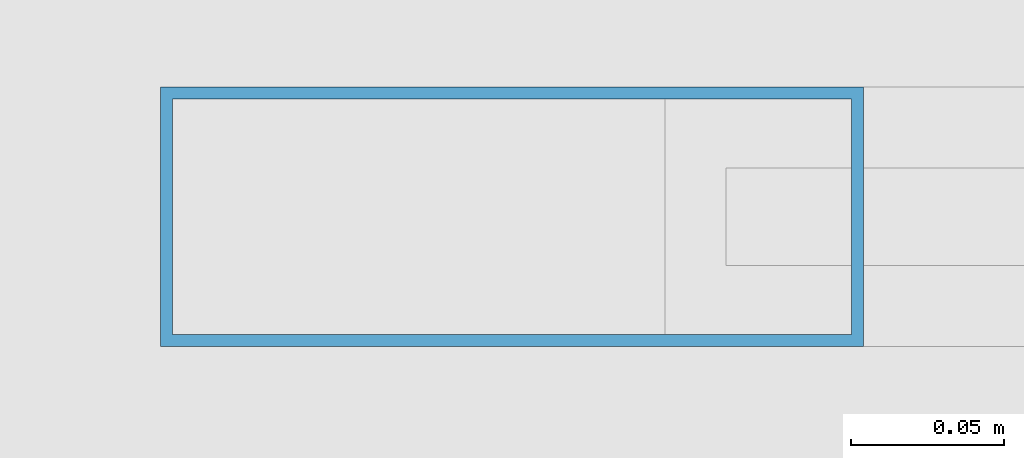
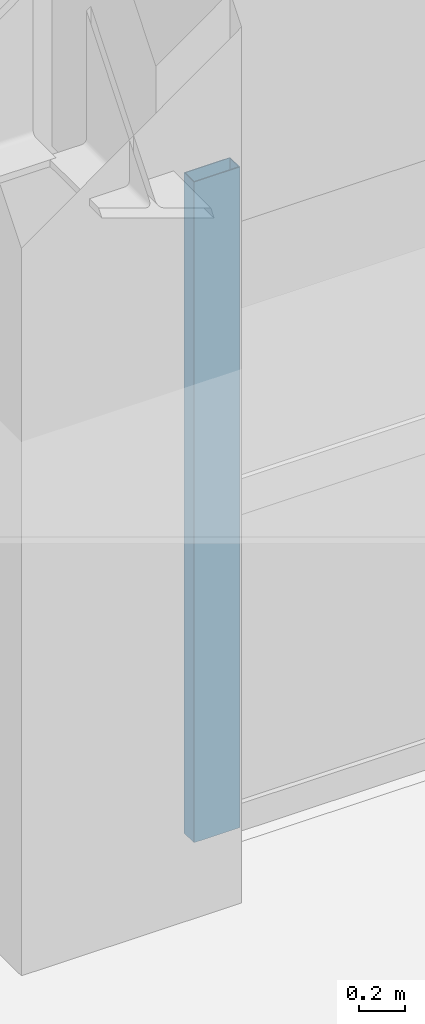
# One storey, part 18 of 43: 1 member, 1 element without a shape of its own.
"""IFC4 building model written with IfcOpenShell, lengths in metres."""

from ifc_helpers import new_model, si_unit, direction, frame, origin, origin_2d, place, context, subcontext, project, spatial, hollow_rectangle, extrude, material, material_profile, profile_set, type_object, element, aggregate, save


model = new_model("IFC4")

# Units and contexts
model_context = context("Model", 3, precision=1e-05, world=origin(), true_north=direction((0.0, 1.0)))
body_context = subcontext(model_context, "Body", "Model", "MODEL_VIEW")
ifc_project = project(units=[si_unit("LENGTHUNIT", "METRE"), si_unit("AREAUNIT", "SQUARE_METRE"), si_unit("VOLUMEUNIT", "CUBIC_METRE"), si_unit("PLANEANGLEUNIT", "RADIAN"), si_unit("MASSUNIT", "GRAM", prefix="KILO")], contexts=[model_context])

# Site, building, storey
site_placement = place(None, origin())
site = spatial("IfcSite", under=ifc_project, at=site_placement, CompositionType="ELEMENT")
building_placement = place(site_placement, origin())
building = spatial("IfcBuilding", under=site, at=building_placement, Name="Kovane Verandah Tower", CompositionType="ELEMENT")
storey_placement = place(building_placement, frame((0.0, 0.0, 11.199951171875)))
storey = spatial("IfcBuildingStorey", under=building, at=storey_placement, Name="L02", CompositionType="ELEMENT", Elevation=11.199951171875)

# Curtain wall, member
ifc_material_1 = material(Name="Champagne Anodised Aluminium Frame with Low-E Clear Laminated Glass", Category="aluminium")
curtain_wall_type = type_object("IfcCurtainWallType", Name="CW-SYS-01-POD", PredefinedType="NOTDEFINED", material=ifc_material_1)
curtain_wall_placement = place(storey_placement, origin())
curtain_wall = element("IfcCurtainWall", 1, at=curtain_wall_placement, inside=storey, type_object=curtain_wall_type, Name="L02 North Podium Curtain Wall Bay 4", PredefinedType="NOTDEFINED")
ifc_material_2 = material(Name="Champagne Anodised Aluminium 6063-T6", Category="aluminium")
ifc_material_profile = material_profile(ifc_material_2, hollow_rectangle(XDim=0.0849609375, YDim=0.22998046875, WallThickness=0.00390625, at=origin_2d()), Name="AL85x230x4")
ifc_profile_set = profile_set([ifc_material_profile], Name="Champagne Anodised Aluminium 6063-T6")
member_type = type_object("IfcMemberType", Name="CW-MUL-85x230", PredefinedType="MULLION", material=ifc_profile_set)
member_placement = place(storey_placement, frame((29.719970703125, 56.5, 0.02001953125), z_axis=(0.0, 0.0, 1.0), x_axis=(0.0, 1.0, 0.0)))
member = element("IfcMember", 2, at=member_placement, type_object=member_type, Name="L02 North Podium Curtain Wall Bay 4 Mullion 5", PredefinedType="MULLION", context=body_context, shape_type="SweptSolid", body=[
    extrude(hollow_rectangle(XDim=0.0849609375, YDim=0.22998046875, WallThickness=0.00390625, at=origin_2d()), origin(), (0.0, 0.0, 1.0), 3.489990234375),
])
aggregate(curtain_wall, [member])

save(model, "model.ifc")
